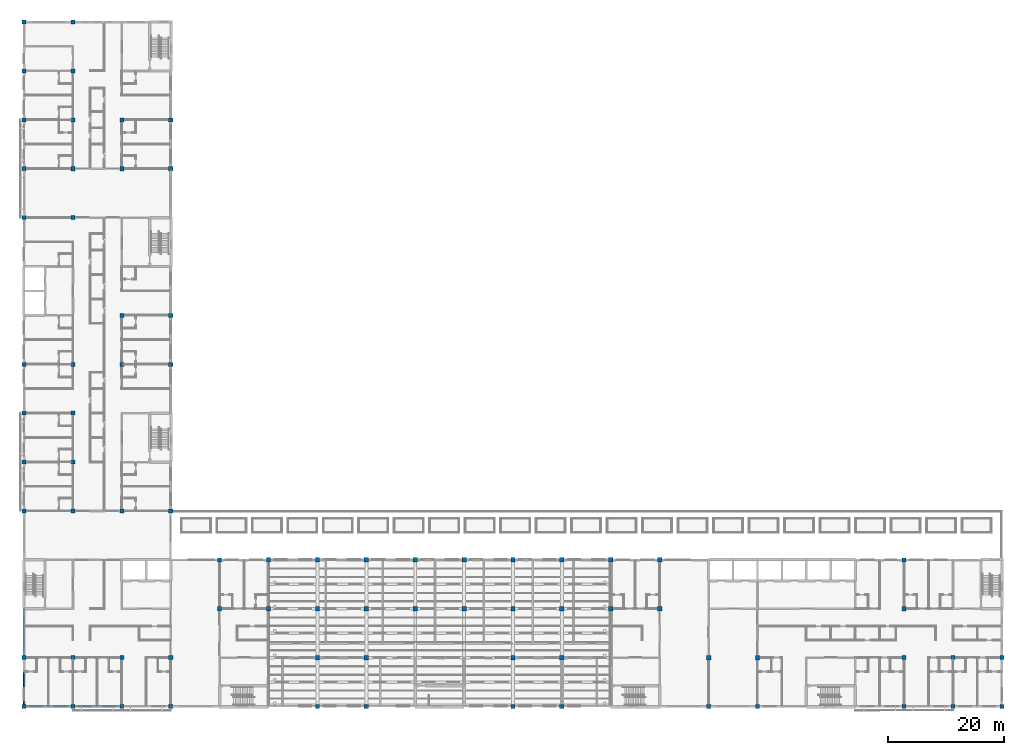
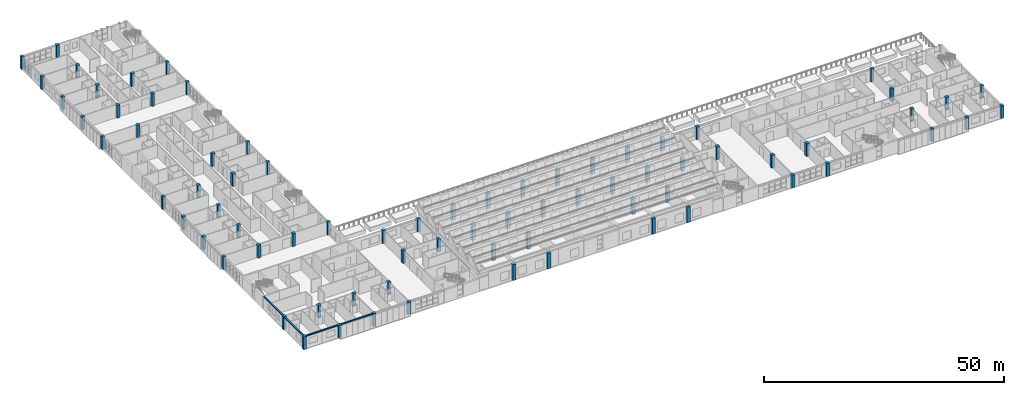
# One storey, part 1 of 61: 76 columns, 4 beams.
"""IFC4 building model written with IfcOpenShell, lengths in metres."""

import ifcopenshell
import ifcopenshell.guid

model = None  # the IFC model being written
_history = None  # IfcOwnerHistory: only IFC2X3 demands one
_inside = {}  # id of a spatial element -> (the spatial element, [elements in it])
_under = {}  # id of a project, library or spatial element -> (it, [spatial elements below it])
_declared = {}  # id of a project -> (the project, [libraries it declares])
_typed = {}  # id of a type object -> (the type object, [elements of that type])
_made_of = {}  # id of a material, layer set ... -> (it, [elements and type objects made of it])


def new_model(schema):
    """Start an empty IFC model of exactly this schema.

    Asked for "IFC4X3", IfcOpenShell would pick the latest addendum, in which some entities
    have other attributes; the version numbers below select the first issue.
    IFC2X3 requires an IfcOwnerHistory on every rooted entity: one is made here for all.
    """
    global model, _history
    if schema == "IFC4X3":
        model = ifcopenshell.file(schema_version=(4, 3, 0, 0))
    else:
        model = ifcopenshell.file(schema=schema)
    _inside.clear()
    _under.clear()
    _declared.clear()
    _typed.clear()
    _made_of.clear()
    _history = None
    if model.schema == "IFC2X3":
        org = make("IfcOrganization", Name="unknown")
        user = make(
            "IfcPersonAndOrganization",
            ThePerson=make("IfcPerson", FamilyName="unknown"),
            TheOrganization=org,
        )
        app = make(
            "IfcApplication",
            ApplicationDeveloper=org,
            Version="unknown",
            ApplicationFullName="unknown",
            ApplicationIdentifier="unknown",
        )
        _history = make(
            "IfcOwnerHistory",
            OwningUser=user,
            OwningApplication=app,
            ChangeAction="ADDED",
            CreationDate=0,
        )
    return model


def make(cls, **values):
    """One entity of the class cls with the attributes given. An attribute that is None is left unset."""
    return model.create_entity(
        cls, **{name: value for name, value in values.items() if value is not None}
    )


def rooted(cls, **values):
    """An entity with a GlobalId (a new one), such as an element, a storey or a relation."""
    return make(cls, GlobalId=ifcopenshell.guid.new(), OwnerHistory=_history, **values)


def si_unit(unit_type, name, prefix=None):
    """IfcSIUnit, for example si_unit("LENGTHUNIT", "METRE", prefix="MILLI")."""
    return make("IfcSIUnit", UnitType=unit_type, Prefix=prefix, Name=name)


def assignment(units):
    """IfcUnitAssignment: the units of a project."""
    return None if units is None else make("IfcUnitAssignment", Units=units)


def point(xyz):
    """IfcCartesianPoint."""
    return None if xyz is None else make("IfcCartesianPoint", Coordinates=xyz)


def direction(xyz):
    """IfcDirection."""
    return None if xyz is None else make("IfcDirection", DirectionRatios=xyz)


def frame(location, z_axis=None, x_axis=None):
    """IfcAxis2Placement3D, a coordinate frame: its origin and axes. An axis left out is left unset."""
    return make(
        "IfcAxis2Placement3D",
        Location=point(location),
        Axis=direction(z_axis),
        RefDirection=direction(x_axis),
    )


def frame_2d(location, x_axis=None):
    """IfcAxis2Placement2D, a coordinate frame in the plane: its origin and x axis."""
    return make(
        "IfcAxis2Placement2D", Location=point(location), RefDirection=direction(x_axis)
    )


def origin():
    """The frame at (0, 0, 0) with its axes left unset."""
    return frame((0.0, 0.0, 0.0))


def origin_2d():
    """The frame at (0, 0) in the plane with its x axis left unset."""
    return frame_2d((0.0, 0.0))


def place(relative_to, where):
    """IfcLocalPlacement: puts the frame where relative to a parent placement (None: the world)."""
    return make(
        "IfcLocalPlacement", PlacementRelTo=relative_to, RelativePlacement=where
    )


def context(
    kind, dimensions, precision=None, world=None, true_north=None, identifier=None
):
    """IfcGeometricRepresentationContext, for example the 3D "Model" context."""
    return make(
        "IfcGeometricRepresentationContext",
        ContextIdentifier=identifier,
        ContextType=kind,
        CoordinateSpaceDimension=dimensions,
        Precision=precision,
        WorldCoordinateSystem=world,
        TrueNorth=true_north,
    )


def subcontext(parent, identifier, kind, view, scale=None):
    """IfcGeometricRepresentationSubContext, for example "Body" below "Model"."""
    return make(
        "IfcGeometricRepresentationSubContext",
        ContextIdentifier=identifier,
        ContextType=kind,
        ParentContext=parent,
        TargetScale=scale,
        TargetView=view,
    )


def project(units=None, contexts=None):
    """IfcProject with its units and contexts."""
    return rooted(
        "IfcProject",
        Name="project",
        RepresentationContexts=contexts,
        UnitsInContext=assignment(units),
    )


def spatial(cls, under=None, at=None, **own):
    """A site, building, storey or space (cls), placed at a placement, below another one or the project."""
    s = rooted(cls, ObjectPlacement=at, **own)
    if under is not None:
        _under.setdefault(under.id(), (under, []))[1].append(s)
    return s


def profile(cls, at=None, kind="AREA", **sizes):
    """A parametric profile (cls). Its sizes go by their IFC names, for example OverallWidth=200.0."""
    return make(cls, ProfileType=kind, Position=at, **sizes)


def rectangle(**sizes):
    """IfcRectangleProfileDef."""
    return profile("IfcRectangleProfileDef", **sizes)


def extrude(swept, where, along, depth):
    """IfcExtrudedAreaSolid: the profile swept, set in the frame where, extruded along a direction by depth."""
    return make(
        "IfcExtrudedAreaSolid",
        SweptArea=swept,
        Position=where,
        ExtrudedDirection=direction(along),
        Depth=depth,
    )


def shape(context_of_items, identifier, shape_type, items):
    """IfcShapeRepresentation: the items that make up one representation, for example the "Body"."""
    return make(
        "IfcShapeRepresentation",
        ContextOfItems=context_of_items,
        RepresentationIdentifier=identifier,
        RepresentationType=shape_type,
        Items=items,
    )


def material(Name=None, Category=None):
    """IfcMaterial."""
    return make("IfcMaterial", Name=Name, Category=Category)


def material_profile(
    of_material, cross_section, Name=None, Category=None, Priority=None
):
    """IfcMaterialProfile: a cross section and its material."""
    return make(
        "IfcMaterialProfile",
        Name=Name,
        Material=of_material,
        Profile=cross_section,
        Priority=Priority,
        Category=Category,
    )


def profile_set(profiles, Name=None, composite=None):
    """IfcMaterialProfileSet."""
    return make(
        "IfcMaterialProfileSet",
        Name=Name,
        MaterialProfiles=profiles,
        CompositeProfile=composite,
    )


def made_of(thing, what):
    """Note that an element or type object is made of a material, layer set ...; save() writes the relation."""
    if what is not None:
        _made_of.setdefault(what.id(), (what, []))[1].append(thing)
    return thing


def type_object(cls, material=None, **own):
    """A type object (cls), such as IfcWallType, which elements share."""
    return made_of(rooted(cls, **own), material)


def element(
    cls,
    number,
    at=None,
    inside=None,
    cuts=None,
    type_object=None,
    material=None,
    context=None,
    identifier="Body",
    shape_type=None,
    held_by="IfcProductDefinitionShape",
    body=None,
    shapes=None,
    **own,
):
    """One element of the class cls, such as IfcWall. Its Tag is "e" and its number.

    at: its placement. inside: the storey or other place that contains it. cuts: it is an
    opening in that element (IfcRelVoidsElement). A single representation is given by context,
    identifier, shape_type and body (its items); several are given by shapes. held_by: the class
    of the entity that holds the representations. save() writes the other relations.
    """
    e = rooted(cls, Tag="e%d" % number, ObjectPlacement=at, **own)
    if body is not None:
        shapes = [shape(context, identifier, shape_type, body)]
    if shapes is not None:
        e.Representation = make(held_by, Representations=shapes)
    if inside is not None:
        _inside.setdefault(inside.id(), (inside, []))[1].append(e)
    if cuts is not None:
        rooted(
            "IfcRelVoidsElement", RelatingBuildingElement=cuts, RelatedOpeningElement=e
        )
    if type_object is not None:
        _typed.setdefault(type_object.id(), (type_object, []))[1].append(e)
    return made_of(e, material)


def aggregate(whole, parts):
    """IfcRelAggregates: a whole, such as a stair, and the parts it consists of."""
    return rooted("IfcRelAggregates", RelatingObject=whole, RelatedObjects=parts)


def save(model, path):
    """Write the relations noted so far, then the file.

    IfcRelAggregates (storeys below a building ...), IfcRelContainedInSpatialStructure (elements
    in a storey), IfcRelDefinesByType, IfcRelAssociatesMaterial and IfcRelDeclares: one each for
    every whole, place, type object, material and project.
    """
    for whole, parts in _under.values():
        aggregate(whole, parts)
    for where, things in _inside.values():
        rooted(
            "IfcRelContainedInSpatialStructure",
            RelatedElements=things,
            RelatingStructure=where,
        )
    for kind, things in _typed.values():
        rooted("IfcRelDefinesByType", RelatedObjects=things, RelatingType=kind)
    for what, things in _made_of.values():
        rooted("IfcRelAssociatesMaterial", RelatedObjects=things, RelatingMaterial=what)
    for by, libraries in _declared.values():
        rooted("IfcRelDeclares", RelatingContext=by, RelatedDefinitions=libraries)
    model.write(path)


model = new_model("IFC4")

# Units and contexts
model_context = context("Model", 3, precision=1e-05, world=origin(), true_north=direction((0.0, 1.0)))
body_context = subcontext(model_context, "Body", "Model", "MODEL_VIEW")
ifc_project = project(units=[si_unit("LENGTHUNIT", "METRE"), si_unit("AREAUNIT", "SQUARE_METRE"), si_unit("VOLUMEUNIT", "CUBIC_METRE"), si_unit("PLANEANGLEUNIT", "RADIAN"), si_unit("MASSUNIT", "GRAM", prefix="KILO")], contexts=[model_context])

# Site, building, storey
site_placement = place(None, origin())
site = spatial("IfcSite", under=ifc_project, at=site_placement, CompositionType="ELEMENT")
building_placement = place(site_placement, origin())
building = spatial("IfcBuilding", under=site, at=building_placement, Name="Yavir Park General Hospital", CompositionType="ELEMENT")
storey_placement = place(building_placement, frame((0.0, 0.0, 15.300048828125)))
storey = spatial("IfcBuildingStorey", under=building, at=storey_placement, Name="L03", CompositionType="ELEMENT", Elevation=15.300048828125)

# Columns
ifc_material_1 = material(Name="Concrete C40/50", Category="concrete")
ifc_material_profile_1 = material_profile(ifc_material_1, rectangle(XDim=0.699951171875, YDim=0.699951171875, at=origin_2d()), Name="RC700x700")
ifc_profile_set_1 = profile_set([ifc_material_profile_1], Name="Concrete C40/50")
column_type_1 = type_object("IfcColumnType", Name="RC COLUMN 700x700", PredefinedType="COLUMN", material=ifc_profile_set_1)
for number, where, z_axis, x_axis, name in (
    (1, (0.0, 0.0, 0.0), (0.0, 0.0, 1.0), (1.0, 0.0, 0.0), "C:L03:1A"),
    (2, (8.39990234375, 0.0, 0.0), (0.0, 0.0, 1.0), (1.0, 0.0, 0.0), "C:L03:2A"),
    (3, (16.800048828125, 0.0, 0.0), (0.0, 0.0, 1.0), (1.0, 0.0, 0.0), "C:L03:3A"),
    (4, (25.199951171875, 0.0, 0.0), (0.0, 0.0, 1.0), (1.0, 0.0, 0.0), "C:L03:4A"),
    (5, (151.199951171875, 0.0, 0.0), (0.0, 0.0, 1.0), (1.0, 0.0, 0.0), "C:L03:19A"),
    (6, (159.60009765625, 0.0, 0.0), (0.0, 0.0, 1.0), (1.0, 0.0, 0.0), "C:L03:20A"),
    (7, (168.0, 0.0, 0.0), (0.0, 0.0, 1.0), (1.0, 0.0, 0.0), "C:L03:21A"),
    (8, (0.0, 8.39990234375, 0.0), (0.0, 0.0, 1.0), (1.0, 0.0, 0.0), "C:L03:1B"),
    (9, (8.39990234375, 8.39990234375, 0.0), (0.0, 0.0, 1.0), (1.0, 0.0, 0.0), "C:L03:2B"),
    (10, (16.800048828125, 8.39990234375, 0.0), (0.0, 0.0, 1.0), (1.0, 0.0, 0.0), "C:L03:3B"),
    (11, (25.199951171875, 8.39990234375, 0.0), (0.0, 0.0, 1.0), (1.0, 0.0, 0.0), "C:L03:4B"),
    (12, (151.199951171875, 8.39990234375, 0.0), (0.0, 0.0, 1.0), (1.0, 0.0, 0.0), "C:L03:19B"),
    (13, (159.60009765625, 8.39990234375, 0.0), (0.0, 0.0, 1.0), (1.0, 0.0, 0.0), "C:L03:20B"),
    (14, (168.0, 8.39990234375, 0.0), (0.0, 0.0, 1.0), (1.0, 0.0, 0.0), "C:L03:21B"),
    (15, (33.60009765625, 16.800048828125, 0.0), (0.0, 0.0, 1.0), (1.0, 0.0, 0.0), "C:L03:5C"),
    (16, (151.199951171875, 16.800048828125, 0.0), (0.0, 0.0, 1.0), (1.0, 0.0, 0.0), "C:L03:19C"),
    (17, (33.60009765625, 25.199951171875, 0.0), (0.0, 0.0, 1.0), (1.0, 0.0, 0.0), "C:L03:5D"),
    (18, (151.199951171875, 25.199951171875, 0.0), (0.0, 0.0, 1.0), (1.0, 0.0, 0.0), "C:L03:19D"),
    (19, (0.0, 33.60009765625, 0.0), (0.0, 0.0, 1.0), (1.0, 0.0, 0.0), "C:L03:1E"),
    (20, (8.39990234375, 33.60009765625, 0.0), (0.0, 0.0, 1.0), (1.0, 0.0, 0.0), "C:L03:2E"),
    (21, (16.800048828125, 33.60009765625, 0.0), (0.0, 0.0, 1.0), (1.0, 0.0, 0.0), "C:L03:3E"),
    (22, (25.199951171875, 33.60009765625, 0.0), (0.0, 0.0, 1.0), (1.0, 0.0, 0.0), "C:L03:4E"),
    (23, (0.0, 42.0, 0.0), (0.0, 0.0, 1.0), (1.0, 0.0, 0.0), "C:L03:1F"),
    (24, (8.39990234375, 42.0, 0.0), (0.0, 0.0, 1.0), (1.0, 0.0, 0.0), "C:L03:2F"),
    (25, (0.0, 50.39990234375, 0.0), (0.0, 0.0, 1.0), (1.0, 0.0, 0.0), "C:L03:1G"),
    (26, (8.39990234375, 50.39990234375, 0.0), (0.0, 0.0, 1.0), (1.0, 0.0, 0.0), "C:L03:2G"),
    (27, (0.0, 58.800048828125, 0.0), (0.0, 0.0, 1.0), (1.0, 0.0, 0.0), "C:L03:1H"),
    (28, (8.39990234375, 58.800048828125, 0.0), (0.0, 0.0, 1.0), (1.0, 0.0, 0.0), "C:L03:2H"),
    (29, (16.800048828125, 58.800048828125, 0.0), (0.0, 0.0, 1.0), (1.0, 0.0, 0.0), "C:L03:3H"),
    (30, (25.199951171875, 58.800048828125, 0.0), (0.0, 0.0, 1.0), (1.0, 0.0, 0.0), "C:L03:4H"),
    (31, (16.800048828125, 67.199951171875, 0.0), (0.0, 0.0, 1.0), (1.0, 0.0, 0.0), "C:L03:3J"),
    (32, (25.199951171875, 67.199951171875, 0.0), (0.0, 0.0, 1.0), (1.0, 0.0, 0.0), "C:L03:4J"),
    (33, (0.0, 84.0, 0.0), (0.0, 0.0, 1.0), (1.0, 0.0, 0.0), "C:L03:1L"),
    (34, (8.39990234375, 84.0, 0.0), (0.0, 0.0, 1.0), (1.0, 0.0, 0.0), "C:L03:2L"),
    (35, (0.0, 92.39990234375, 0.0), (0.0, 0.0, 1.0), (1.0, 0.0, 0.0), "C:L03:1M"),
    (36, (8.39990234375, 92.39990234375, 0.0), (0.0, 0.0, 1.0), (1.0, 0.0, 0.0), "C:L03:2M"),
    (37, (16.800048828125, 92.39990234375, 0.0), (0.0, 0.0, 1.0), (1.0, 0.0, 0.0), "C:L03:3M"),
    (38, (25.199951171875, 92.39990234375, 0.0), (0.0, 0.0, 1.0), (1.0, 0.0, 0.0), "C:L03:4M"),
    (39, (0.0, 100.800048828125, 0.0), (0.0, 0.0, 1.0), (1.0, 0.0, 0.0), "C:L03:1N"),
    (40, (8.39990234375, 100.800048828125, 0.0), (0.0, 0.0, 1.0), (1.0, 0.0, 0.0), "C:L03:2N"),
    (41, (16.800048828125, 100.800048828125, 0.0), (0.0, 0.0, 1.0), (1.0, 0.0, 0.0), "C:L03:3N"),
    (42, (25.199951171875, 100.800048828125, 0.0), (0.0, 0.0, 1.0), (1.0, 0.0, 0.0), "C:L03:4N"),
    (43, (0.0, 109.199951171875, 0.0), (0.0, 0.0, 1.0), (1.0, 0.0, 0.0), "C:L03:1P"),
    (44, (8.39990234375, 109.199951171875, 0.0), (0.0, 0.0, 1.0), (1.0, 0.0, 0.0), "C:L03:2P"),
    (45, (0.0, 117.60009765625, 0.0), (0.0, 0.0, 1.0), (1.0, 0.0, 0.0), "C:L03:1Q"),
    (46, (8.39990234375, 117.60009765625, 0.0), (0.0, 0.0, 1.0), (1.0, 0.0, 0.0), "C:L03:2Q"),
):
    element("IfcColumn", number, at=place(storey_placement, frame(where, z_axis=z_axis, x_axis=x_axis)), inside=storey, type_object=column_type_1, Name=name, PredefinedType="COLUMN", context=body_context, shape_type="SweptSolid", body=[
        extrude(rectangle(XDim=0.699951171875, YDim=0.699951171875, at=origin_2d()), origin(), (0.0, 0.0, 1.0), 3.260009765625),
    ])
ifc_material_2 = material(Name="Concrete C40/50", Category="concrete")
ifc_material_profile_2 = material_profile(ifc_material_2, rectangle(XDim=0.75, YDim=0.75, at=origin_2d()), Name="RC750x750")
ifc_profile_set_2 = profile_set([ifc_material_profile_2], Name="Concrete C40/50")
column_type_2 = type_object("IfcColumnType", Name="RC COLUMN 750x750", PredefinedType="COLUMN", material=ifc_profile_set_2)
for number, where, z_axis, x_axis, name in (
    (47, (50.39990234375, 0.0, 0.0), (0.0, 0.0, 1.0), (1.0, 0.0, 0.0), "C:L03:7A"),
    (48, (58.800048828125, 0.0, 0.0), (0.0, 0.0, 1.0), (1.0, 0.0, 0.0), "C:L03:8A"),
    (49, (84.0, 0.0, 0.0), (0.0, 0.0, 1.0), (1.0, 0.0, 0.0), "C:L03:11A"),
    (50, (92.39990234375, 0.0, 0.0), (0.0, 0.0, 1.0), (1.0, 0.0, 0.0), "C:L03:12A"),
):
    element("IfcColumn", number, at=place(storey_placement, frame(where, z_axis=z_axis, x_axis=x_axis)), inside=storey, type_object=column_type_2, Name=name, PredefinedType="COLUMN", context=body_context, shape_type="SweptSolid", body=[
        extrude(rectangle(XDim=0.75, YDim=0.75, at=origin_2d()), origin(), (0.0, 0.0, 1.0), 4.0),
    ])
for number, where, z_axis, x_axis, name in (
    (51, (117.60009765625, 0.0, 0.0), (0.0, 0.0, 1.0), (1.0, 0.0, 0.0), "C:L03:15A"),
    (52, (126.0, 0.0, 0.0), (0.0, 0.0, 1.0), (1.0, 0.0, 0.0), "C:L03:16A"),
):
    element("IfcColumn", number, at=place(storey_placement, frame(where, z_axis=z_axis, x_axis=x_axis)), inside=storey, type_object=column_type_2, Name=name, PredefinedType="COLUMN", context=body_context, shape_type="SweptSolid", body=[
        extrude(rectangle(XDim=0.75, YDim=0.75, at=origin_2d()), origin(), (0.0, 0.0, 1.0), 3.260009765625),
    ])
for number, where, z_axis, x_axis, name in (
    (53, (50.39990234375, 8.39990234375, 0.0), (0.0, 0.0, 1.0), (1.0, 0.0, 0.0), "C:L03:7B"),
    (54, (58.800048828125, 8.39990234375, 0.0), (0.0, 0.0, 1.0), (1.0, 0.0, 0.0), "C:L03:8B"),
    (55, (84.0, 8.39990234375, 0.0), (0.0, 0.0, 1.0), (1.0, 0.0, 0.0), "C:L03:11B"),
    (56, (92.39990234375, 8.39990234375, 0.0), (0.0, 0.0, 1.0), (1.0, 0.0, 0.0), "C:L03:12B"),
):
    element("IfcColumn", number, at=place(storey_placement, frame(where, z_axis=z_axis, x_axis=x_axis)), inside=storey, type_object=column_type_2, Name=name, PredefinedType="COLUMN", context=body_context, shape_type="SweptSolid", body=[
        extrude(rectangle(XDim=0.75, YDim=0.75, at=origin_2d()), origin(), (0.0, 0.0, 1.0), 4.0),
    ])
for number, where, z_axis, x_axis, name in (
    (57, (117.60009765625, 8.39990234375, 0.0), (0.0, 0.0, 1.0), (1.0, 0.0, 0.0), "C:L03:15B"),
    (58, (126.0, 8.39990234375, 0.0), (0.0, 0.0, 1.0), (1.0, 0.0, 0.0), "C:L03:16B"),
    (59, (42.0, 16.800048828125, 0.0), (0.0, 0.0, 1.0), (1.0, 0.0, 0.0), "C:L03:6C"),
):
    element("IfcColumn", number, at=place(storey_placement, frame(where, z_axis=z_axis, x_axis=x_axis)), inside=storey, type_object=column_type_2, Name=name, PredefinedType="COLUMN", context=body_context, shape_type="SweptSolid", body=[
        extrude(rectangle(XDim=0.75, YDim=0.75, at=origin_2d()), origin(), (0.0, 0.0, 1.0), 3.260009765625),
    ])
for number, where, z_axis, x_axis, name in (
    (60, (50.39990234375, 16.800048828125, 0.0), (0.0, 0.0, 1.0), (1.0, 0.0, 0.0), "C:L03:7C"),
    (61, (58.800048828125, 16.800048828125, 0.0), (0.0, 0.0, 1.0), (1.0, 0.0, 0.0), "C:L03:8C"),
    (62, (67.199951171875, 16.800048828125, 0.0), (0.0, 0.0, 1.0), (1.0, 0.0, 0.0), "C:L03:9C"),
    (63, (75.60009765625, 16.800048828125, 0.0), (0.0, 0.0, 1.0), (1.0, 0.0, 0.0), "C:L03:10C"),
    (64, (84.0, 16.800048828125, 0.0), (0.0, 0.0, 1.0), (1.0, 0.0, 0.0), "C:L03:11C"),
    (65, (92.39990234375, 16.800048828125, 0.0), (0.0, 0.0, 1.0), (1.0, 0.0, 0.0), "C:L03:12C"),
):
    element("IfcColumn", number, at=place(storey_placement, frame(where, z_axis=z_axis, x_axis=x_axis)), inside=storey, type_object=column_type_2, Name=name, PredefinedType="COLUMN", context=body_context, shape_type="SweptSolid", body=[
        extrude(rectangle(XDim=0.75, YDim=0.75, at=origin_2d()), origin(), (0.0, 0.0, 1.0), 4.0),
    ])
for number, where, z_axis, x_axis, name in (
    (66, (100.800048828125, 16.800048828125, 0.0), (0.0, 0.0, 1.0), (1.0, 0.0, 0.0), "C:L03:13C"),
    (67, (109.199951171875, 16.800048828125, 0.0), (0.0, 0.0, 1.0), (1.0, 0.0, 0.0), "C:L03:14C"),
    (68, (42.0, 25.199951171875, 0.0), (0.0, 0.0, 1.0), (1.0, 0.0, 0.0), "C:L03:6D"),
):
    element("IfcColumn", number, at=place(storey_placement, frame(where, z_axis=z_axis, x_axis=x_axis)), inside=storey, type_object=column_type_2, Name=name, PredefinedType="COLUMN", context=body_context, shape_type="SweptSolid", body=[
        extrude(rectangle(XDim=0.75, YDim=0.75, at=origin_2d()), origin(), (0.0, 0.0, 1.0), 3.260009765625),
    ])
for number, where, z_axis, x_axis, name in (
    (69, (50.39990234375, 25.199951171875, 0.0), (0.0, 0.0, 1.0), (1.0, 0.0, 0.0), "C:L03:7D"),
    (70, (58.800048828125, 25.199951171875, 0.0), (0.0, 0.0, 1.0), (1.0, 0.0, 0.0), "C:L03:8D"),
    (71, (67.199951171875, 25.199951171875, 0.0), (0.0, 0.0, 1.0), (1.0, 0.0, 0.0), "C:L03:9D"),
    (72, (75.60009765625, 25.199951171875, 0.0), (0.0, 0.0, 1.0), (1.0, 0.0, 0.0), "C:L03:10D"),
    (73, (84.0, 25.199951171875, 0.0), (0.0, 0.0, 1.0), (1.0, 0.0, 0.0), "C:L03:11D"),
    (74, (92.39990234375, 25.199951171875, 0.0), (0.0, 0.0, 1.0), (1.0, 0.0, 0.0), "C:L03:12D"),
):
    element("IfcColumn", number, at=place(storey_placement, frame(where, z_axis=z_axis, x_axis=x_axis)), inside=storey, type_object=column_type_2, Name=name, PredefinedType="COLUMN", context=body_context, shape_type="SweptSolid", body=[
        extrude(rectangle(XDim=0.75, YDim=0.75, at=origin_2d()), origin(), (0.0, 0.0, 1.0), 4.0),
    ])
for number, where, z_axis, x_axis, name in (
    (75, (100.800048828125, 25.199951171875, 0.0), (0.0, 0.0, 1.0), (1.0, 0.0, 0.0), "C:L03:13D"),
    (76, (109.199951171875, 25.199951171875, 0.0), (0.0, 0.0, 1.0), (1.0, 0.0, 0.0), "C:L03:14D"),
):
    element("IfcColumn", number, at=place(storey_placement, frame(where, z_axis=z_axis, x_axis=x_axis)), inside=storey, type_object=column_type_2, Name=name, PredefinedType="COLUMN", context=body_context, shape_type="SweptSolid", body=[
        extrude(rectangle(XDim=0.75, YDim=0.75, at=origin_2d()), origin(), (0.0, 0.0, 1.0), 3.260009765625),
    ])

# Beams
ifc_material_3 = material(Name="Concrete C35/45", Category="concrete")
ifc_material_profile_3 = material_profile(ifc_material_3, rectangle(XDim=0.300048828125, YDim=0.300048828125, at=origin_2d()), Name="RC300x300")
ifc_profile_set_3 = profile_set([ifc_material_profile_3], Name="Concrete C35/45")
beam_type = type_object("IfcBeamType", Name="RC BEAM 300x300 edge beam", PredefinedType="BEAM", material=ifc_profile_set_3)
for number, where, z_axis, x_axis, name in (
    (77, (0.35009765625, 0.0, 3.10986328125), (1.0, 0.0, 0.0), (0.0, 1.0, 0.0), "B:EDGE:L03:001"),
    (78, (8.75, 0.0, 3.10986328125), (1.0, 0.0, 0.0), (0.0, 1.0, 0.0), "B:EDGE:L03:002"),
    (79, (0.0, 0.35009765625, 3.10986328125), (0.0, 1.0, 0.0), (-1.0, 0.0, 0.0), "B:EDGE:L03:016"),
):
    element("IfcBeam", number, at=place(storey_placement, frame(where, z_axis=z_axis, x_axis=x_axis)), inside=storey, type_object=beam_type, Name=name, PredefinedType="BEAM", context=body_context, shape_type="SweptSolid", body=[
        extrude(rectangle(XDim=0.300048828125, YDim=0.300048828125, at=origin_2d()), origin(), (0.0, 0.0, 1.0), 7.699951171875),
    ])
beam_placement = place(storey_placement, frame((0.0, 8.75, 3.10986328125), z_axis=(0.0, 1.0, 0.0), x_axis=(-1.0, 0.0, 0.0)))
element("IfcBeam", 80, at=beam_placement, inside=storey, type_object=beam_type, Name="B:EDGE:L03:017", PredefinedType="BEAM", context=body_context, shape_type="SweptSolid", body=[
    extrude(rectangle(XDim=0.300048828125, YDim=0.300048828125, at=origin_2d()), origin(), (0.0, 0.0, 1.0), 8.050048828125),
])

save(model, "model.ifc")
